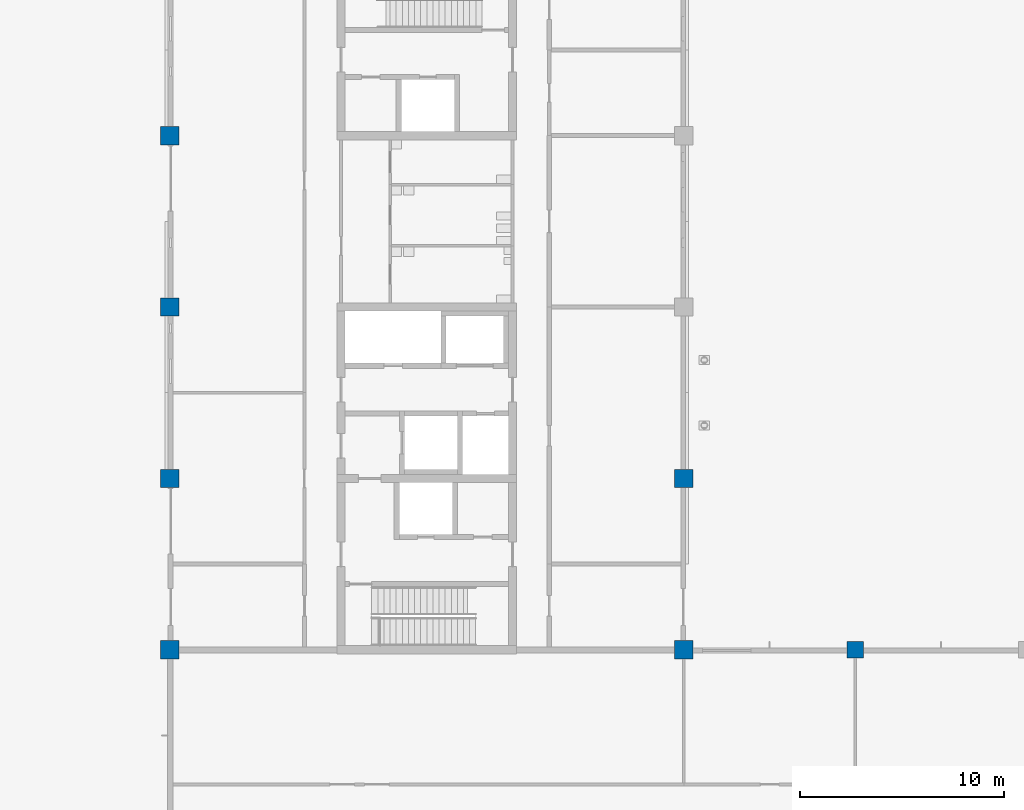
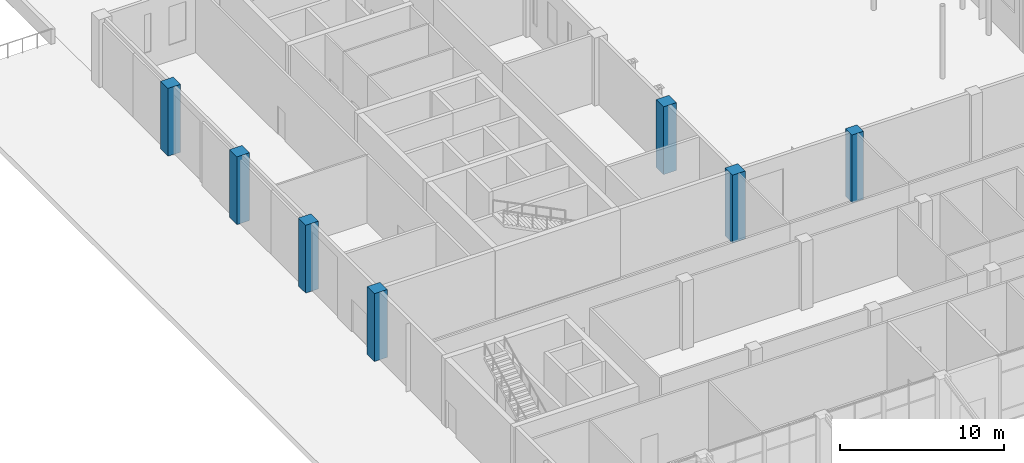
# One storey, part 3 of 76: 7 columns.
"""IFC4 building model written with IfcOpenShell, lengths in metres."""

from ifc_helpers import new_model, si_unit, direction, frame, origin, origin_2d, place, context, subcontext, project, spatial, rectangle, extrude, material, material_profile, profile_set, type_object, element, save


model = new_model("IFC4")

# Units and contexts
model_context = context("Model", 3, precision=1e-05, world=origin(), true_north=direction((0.0, 1.0)))
body_context = subcontext(model_context, "Body", "Model", "MODEL_VIEW")
ifc_project = project(units=[si_unit("LENGTHUNIT", "METRE"), si_unit("AREAUNIT", "SQUARE_METRE"), si_unit("VOLUMEUNIT", "CUBIC_METRE"), si_unit("PLANEANGLEUNIT", "RADIAN"), si_unit("MASSUNIT", "GRAM", prefix="KILO")], contexts=[model_context])

# Site, building, storey
site_placement = place(None, origin())
site = spatial("IfcSite", under=ifc_project, at=site_placement, CompositionType="ELEMENT")
building_placement = place(site_placement, origin())
building = spatial("IfcBuilding", under=site, at=building_placement, Name="Hlaing Beacon Police Headquarters", CompositionType="ELEMENT")
storey_placement = place(building_placement, origin())
storey = spatial("IfcBuildingStorey", under=building, at=storey_placement, Name="L00", CompositionType="ELEMENT", Elevation=0.0)

# Columns
ifc_material_1 = material(Name="Concrete C50/60", Category="concrete")
ifc_material_profile_1 = material_profile(ifc_material_1, rectangle(XDim=0.800048828125, YDim=0.800048828125, at=origin_2d()), Name="800x800")
ifc_profile_set_1 = profile_set([ifc_material_profile_1], Name="Concrete C50/60")
column_type_1 = type_object("IfcColumnType", Name="RC column 800x800 C50/60", PredefinedType="COLUMN", material=ifc_profile_set_1)
column_placement = place(storey_placement, frame((42.0, 33.60009765625, 0.0), z_axis=(0.0, 0.0, 1.0), x_axis=(1.0, 0.0, 0.0)))
element("IfcColumn", 1, at=column_placement, inside=storey, type_object=column_type_1, Name="STR-COL-L00-F5", PredefinedType="COLUMN", context=body_context, shape_type="SweptSolid", body=[
    extrude(rectangle(XDim=0.800048828125, YDim=0.800048828125, at=origin_2d()), origin(), (0.0, 0.0, 1.0), 5.050048828125),
])
ifc_material_2 = material(Name="Concrete C50/60", Category="concrete")
ifc_material_profile_2 = material_profile(ifc_material_2, rectangle(XDim=0.89990234375, YDim=0.89990234375, at=origin_2d()), Name="900x900")
ifc_profile_set_2 = profile_set([ifc_material_profile_2], Name="Concrete C50/60")
column_type_2 = type_object("IfcColumnType", Name="RC column 900x900 C50/60", PredefinedType="COLUMN", material=ifc_profile_set_2)
for number, where, z_axis, x_axis, name in (
    (2, (8.39990234375, 33.60009765625, 0.0), (0.0, 0.0, 1.0), (1.0, 0.0, 0.0), "STR-COL-L00-B5"),
    (3, (8.39990234375, 42.0, 0.0), (0.0, 0.0, 1.0), (1.0, 0.0, 0.0), "STR-COL-L00-B6"),
    (4, (8.39990234375, 50.39990234375, 0.0), (0.0, 0.0, 1.0), (1.0, 0.0, 0.0), "STR-COL-L00-B7"),
    (5, (8.39990234375, 58.800048828125, 0.0), (0.0, 0.0, 1.0), (1.0, 0.0, 0.0), "STR-COL-L00-B8"),
    (6, (33.60009765625, 33.60009765625, 0.0), (0.0, 0.0, 1.0), (1.0, 0.0, 0.0), "STR-COL-L00-E5"),
    (7, (33.60009765625, 42.0, 0.0), (0.0, 0.0, 1.0), (1.0, 0.0, 0.0), "STR-COL-L00-E6"),
):
    element("IfcColumn", number, at=place(storey_placement, frame(where, z_axis=z_axis, x_axis=x_axis)), inside=storey, type_object=column_type_2, Name=name, PredefinedType="COLUMN", context=body_context, shape_type="SweptSolid", body=[
        extrude(rectangle(XDim=0.89990234375, YDim=0.89990234375, at=origin_2d()), origin(), (0.0, 0.0, 1.0), 5.050048828125),
    ])

save(model, "model.ifc")
